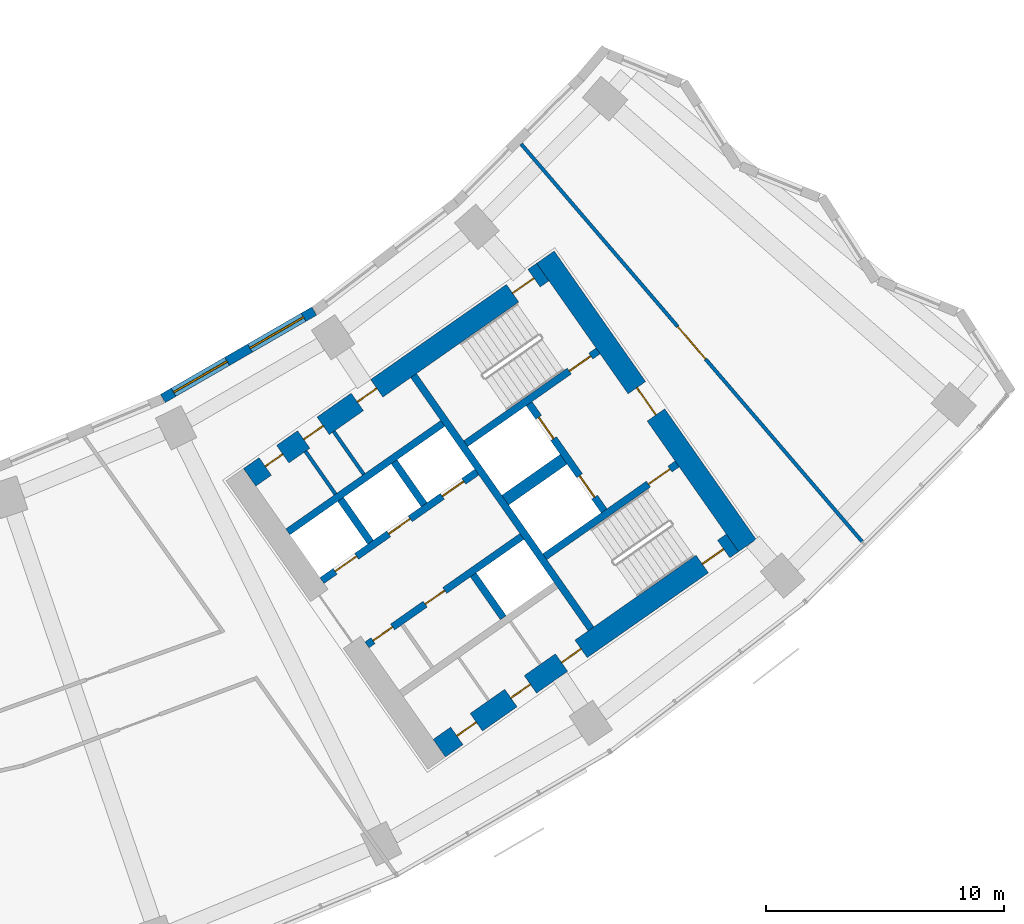
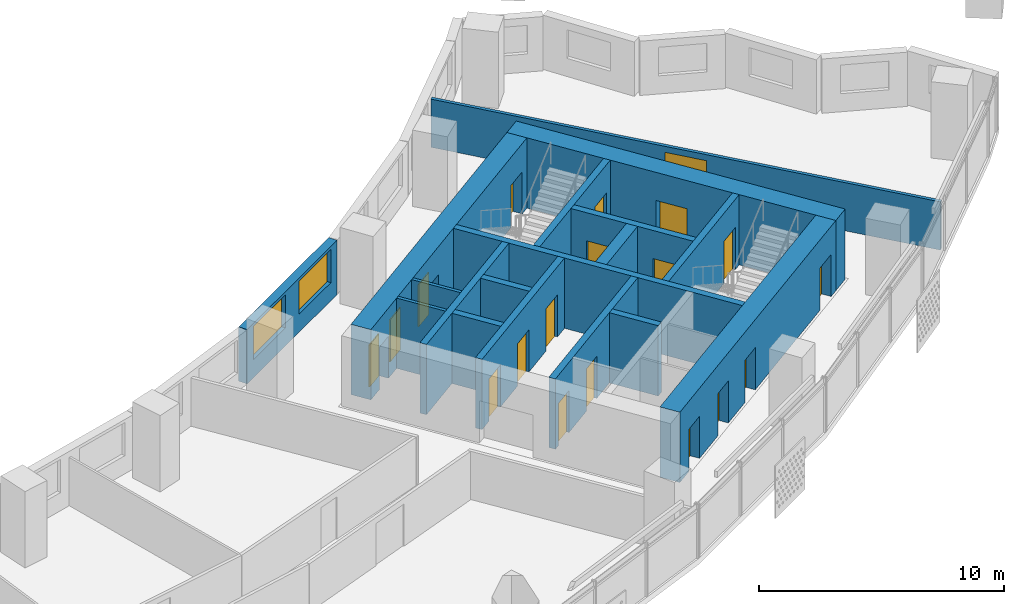
# One storey, part 7 of 29: 19 doors, 18 walls, 2 windows, 21 openings.
"""IFC4 building model written with IfcOpenShell, lengths in metres."""

from ifc_helpers import new_model, si_unit, direction, frame, frame_2d, origin, place, context, subcontext, project, spatial, rectangle, extrude, material, layer, layer_set, type_object, element, fill, save


model = new_model("IFC4")

# Units and contexts
model_context = context("Model", 3, precision=1e-05, world=origin(), true_north=direction((0.0, 1.0)))
body_context = subcontext(model_context, "Body", "Model", "MODEL_VIEW")
ifc_project = project(units=[si_unit("LENGTHUNIT", "METRE"), si_unit("AREAUNIT", "SQUARE_METRE"), si_unit("VOLUMEUNIT", "CUBIC_METRE"), si_unit("PLANEANGLEUNIT", "RADIAN"), si_unit("MASSUNIT", "GRAM", prefix="KILO")], contexts=[model_context])

# Site, building, storey
site_placement = place(None, origin())
site = spatial("IfcSite", under=ifc_project, at=site_placement, CompositionType="ELEMENT")
building_placement = place(site_placement, origin())
building = spatial("IfcBuilding", under=site, at=building_placement, Name="Qamariyya Broadcast Tower", CompositionType="ELEMENT")
storey_placement = place(building_placement, frame((0.0, 0.0, 106.300048828125)))
storey = spatial("IfcBuildingStorey", under=building, at=storey_placement, Name="L23", CompositionType="ELEMENT", Elevation=106.300048828125)

# Wall, opening, door
ifc_material_1 = material(Name="Concrete C70/85", Category="concrete")
ifc_layer_1 = layer(ifc_material_1, 0.89990234375)
ifc_layer_set_1 = layer_set([ifc_layer_1], Name="Core wall 900 mm Concrete C70/85")
wall_type_1 = type_object("IfcWallType", Name="Core wall 900 mm Concrete C70/85", PredefinedType="SHEAR", material=ifc_layer_set_1)
wall_1_placement = place(storey_placement, frame((49.778564453125, -57.191162109375, 0.0), z_axis=(0.0, 0.0, 1.0), x_axis=(-0.573577477574, 0.819151315216, 0.0)))
wall_1 = element("IfcWall", 1, at=wall_1_placement, inside=storey, type_object=wall_type_1, Name="k-E-L23-WH", PredefinedType="SHEAR", context=body_context, shape_type="SweptSolid", body=[
    extrude(rectangle(XDim=14.800048828125, YDim=0.89990234375, at=frame_2d((7.39990234375, 0.0))), origin(), (0.0, 0.0, 1.0), 3.5),
])
opening_1_placement = place(wall_1_placement, frame((6.699951171875, 0.0, 0.0)))
opening_1 = element("IfcOpeningElement", 2, at=opening_1_placement, cuts=wall_1, Name="Opening KD2-E1", PredefinedType="OPENING", context=body_context, shape_type="SweptSolid", body=[
    extrude(rectangle(XDim=1.39990234375, YDim=2.10009765625, at=frame_2d((0.699951171875, 1.050048828125))), frame((0.0, 0.4599609375, 0.0), z_axis=(0.0, -1.0, 0.0), x_axis=(1.0, 0.0, 0.0)), (0.0, 0.0, 1.0), 0.919921875),
])
ifc_material_2 = material(Name="Steel fire-resisting door leaf", Category="steel")
door_type_1 = type_object("IfcDoorType", Name="Fire-fighting lobby door KD2", OperationType="DOUBLE_DOOR_SINGLE_SWING", PredefinedType="DOOR", material=ifc_material_2)
door_1_placement = place(opening_1_placement, origin())
door_1 = element("IfcDoor", 3, at=door_1_placement, inside=storey, type_object=door_type_1, Name="k-E-L23-WH-D15", OperationType="DOUBLE_DOOR_SINGLE_SWING", OverallHeight=2.10009765625, OverallWidth=1.39990234375, PredefinedType="DOOR", context=body_context, shape_type="SweptSolid", body=[
    extrude(rectangle(XDim=1.39990234375, YDim=2.10009765625, at=frame_2d((0.699951171875, 1.050048828125))), frame((0.0, 0.02490234375, 0.0), z_axis=(0.0, -1.0, 0.0), x_axis=(1.0, 0.0, 0.0)), (0.0, 0.0, 1.0), 0.050048828125),
])
fill(opening_1, door_1)

# Wall, openings, doors
wall_2_placement = place(storey_placement, frame((28.8544921875, -54.32421875, 0.0), z_axis=(0.0, 0.0, 1.0), x_axis=(0.819145767589, 0.573585400304, 0.0)))
wall_2 = element("IfcWall", 4, at=wall_2_placement, inside=storey, type_object=wall_type_1, Name="k-E-L23-WI", PredefinedType="SHEAR", context=body_context, shape_type="SweptSolid", body=[
    extrude(rectangle(XDim=15.04541015625, YDim=0.89990234375, at=frame_2d((7.522705078125, 0.0))), origin(), (0.0, 0.0, 1.0), 3.5),
])
opening_2_placement = place(wall_2_placement, frame((0.800048828125, 0.0, 0.0)))
opening_2 = element("IfcOpeningElement", 5, at=opening_2_placement, cuts=wall_2, Name="Opening KD5-E1", PredefinedType="OPENING", context=body_context, shape_type="SweptSolid", body=[
    extrude(rectangle(XDim=0.89990234375, YDim=2.10009765625, at=frame_2d((0.449951171875, 1.050048828125))), frame((0.0, 0.4599609375, 0.0), z_axis=(0.0, -1.0, 0.0), x_axis=(1.0, 0.0, 0.0)), (0.0, 0.0, 1.0), 0.919921875),
])
opening_3_placement = place(wall_2_placement, frame((2.77490234375, 0.0, 0.0)))
opening_3 = element("IfcOpeningElement", 6, at=opening_3_placement, cuts=wall_2, Name="Opening KD7-E1", PredefinedType="OPENING", context=body_context, shape_type="SweptSolid", body=[
    extrude(rectangle(XDim=1.0, YDim=2.10009765625, at=frame_2d((0.5, 1.050048828125))), frame((0.0, 0.4599609375, 0.0), z_axis=(0.0, -1.0, 0.0), x_axis=(1.0, 0.0, 0.0)), (0.0, 0.0, 1.0), 0.919921875),
])
opening_4_placement = place(wall_2_placement, frame((5.52490234375, 0.0, 0.0)))
opening_4 = element("IfcOpeningElement", 7, at=opening_4_placement, cuts=wall_2, Name="Opening KD6-E2", PredefinedType="OPENING", context=body_context, shape_type="SweptSolid", body=[
    extrude(rectangle(XDim=1.0, YDim=2.10009765625, at=frame_2d((0.5, 1.050048828125))), frame((0.0, 0.4599609375, 0.0), z_axis=(0.0, -1.0, 0.0), x_axis=(1.0, 0.0, 0.0)), (0.0, 0.0, 1.0), 0.919921875),
])
opening_5_placement = place(wall_2_placement, frame((13.495361328125, 0.0, 0.0)))
opening_5 = element("IfcOpeningElement", 8, at=opening_5_placement, cuts=wall_2, Name="Opening KD1-E1", PredefinedType="OPENING", context=body_context, shape_type="SweptSolid", body=[
    extrude(rectangle(XDim=1.10009765625, YDim=2.10009765625, at=frame_2d((0.550048828125, 1.050048828125))), frame((0.0, 0.4599609375, 0.0), z_axis=(0.0, -1.0, 0.0), x_axis=(1.0, 0.0, 0.0)), (0.0, 0.0, 1.0), 0.919921875),
])
door_type_2 = type_object("IfcDoorType", Name="Accessible toilet door KD7", OperationType="SINGLE_SWING_LEFT", PredefinedType="DOOR", material=ifc_material_2)
door_2_placement = place(opening_3_placement, origin())
door_2 = element("IfcDoor", 9, at=door_2_placement, inside=storey, type_object=door_type_2, Name="k-E-L23-WI-D8", OperationType="SINGLE_SWING_RIGHT", OverallHeight=2.10009765625, OverallWidth=1.0, PredefinedType="DOOR", context=body_context, shape_type="SweptSolid", body=[
    extrude(rectangle(XDim=1.0, YDim=2.10009765625, at=frame_2d((0.5, 1.050048828125))), frame((0.0, 0.02490234375, 0.0), z_axis=(0.0, -1.0, 0.0), x_axis=(1.0, 0.0, 0.0)), (0.0, 0.0, 1.0), 0.050048828125),
])
fill(opening_3, door_2)
door_type_3 = type_object("IfcDoorType", Name="Core room door KD6", OperationType="SINGLE_SWING_LEFT", PredefinedType="DOOR", material=ifc_material_2)
door_3_placement = place(opening_4_placement, origin())
door_3 = element("IfcDoor", 10, at=door_3_placement, inside=storey, type_object=door_type_3, Name="k-E-L23-WI-D9", OperationType="SINGLE_SWING_LEFT", OverallHeight=2.10009765625, OverallWidth=1.0, PredefinedType="DOOR", context=body_context, shape_type="SweptSolid", body=[
    extrude(rectangle(XDim=1.0, YDim=2.10009765625, at=frame_2d((0.5, 1.050048828125))), frame((0.0, 0.02490234375, 0.0), z_axis=(0.0, -1.0, 0.0), x_axis=(1.0, 0.0, 0.0)), (0.0, 0.0, 1.0), 0.050048828125),
])
fill(opening_4, door_3)
door_type_4 = type_object("IfcDoorType", Name="Stair door KD1", OperationType="SINGLE_SWING_LEFT", PredefinedType="DOOR", material=ifc_material_2)
door_4_placement = place(opening_5_placement, origin())
door_4 = element("IfcDoor", 11, at=door_4_placement, inside=storey, type_object=door_type_4, Name="k-E-L23-WI-D16", OperationType="SINGLE_SWING_RIGHT", OverallHeight=2.10009765625, OverallWidth=1.10009765625, PredefinedType="DOOR", context=body_context, shape_type="SweptSolid", body=[
    extrude(rectangle(XDim=1.10009765625, YDim=2.10009765625, at=frame_2d((0.550048828125, 1.050048828125))), frame((0.0, 0.02490234375, 0.0), z_axis=(0.0, -1.0, 0.0), x_axis=(1.0, 0.0, 0.0)), (0.0, 0.0, 1.0), 0.050048828125),
])
fill(opening_5, door_4)
door_type_5 = type_object("IfcDoorType", Name="Toilet door KD5", OperationType="SINGLE_SWING_LEFT", PredefinedType="DOOR", material=ifc_material_2)
door_5_placement = place(opening_2_placement, origin())
door_5 = element("IfcDoor", 12, at=door_5_placement, inside=storey, type_object=door_type_5, Name="k-E-L23-WI-D7", OperationType="SINGLE_SWING_LEFT", OverallHeight=2.10009765625, OverallWidth=0.89990234375, PredefinedType="DOOR", context=body_context, shape_type="SweptSolid", body=[
    extrude(rectangle(XDim=0.89990234375, YDim=2.10009765625, at=frame_2d((0.449951171875, 1.050048828125))), frame((0.0, 0.02490234375, 0.0), z_axis=(0.0, -1.0, 0.0), x_axis=(1.0, 0.0, 0.0)), (0.0, 0.0, 1.0), 0.050048828125),
])
fill(opening_2, door_5)

wall_3_placement = place(storey_placement, frame((36.827392578125, -65.710205078125, 0.0), z_axis=(0.0, 0.0, 1.0), x_axis=(0.819153391756, 0.573574511963, 0.0)))
wall_3 = element("IfcWall", 13, at=wall_3_placement, inside=storey, type_object=wall_type_1, Name="k-E-L23-WO", PredefinedType="SHEAR", context=body_context, shape_type="SweptSolid", body=[
    extrude(rectangle(XDim=15.04541015625, YDim=0.89990234375, at=frame_2d((7.522705078125, 0.0))), origin(), (0.0, 0.0, 1.0), 3.5),
])
opening_6_placement = place(wall_3_placement, frame((0.89990234375, 0.0, 0.0)))
opening_6 = element("IfcOpeningElement", 14, at=opening_6_placement, cuts=wall_3, Name="Opening KD4-E2", PredefinedType="OPENING", context=body_context, shape_type="SweptSolid", body=[
    extrude(rectangle(XDim=1.0, YDim=2.10009765625, at=frame_2d((0.5, 1.050048828125))), frame((0.0, 0.4599609375, 0.0), z_axis=(0.0, -1.0, 0.0), x_axis=(1.0, 0.0, 0.0)), (0.0, 0.0, 1.0), 0.919921875),
])
opening_7_placement = place(wall_3_placement, frame((3.675048828125, 0.0, 0.0)))
opening_7 = element("IfcOpeningElement", 15, at=opening_7_placement, cuts=wall_3, Name="Opening KD4-E3", PredefinedType="OPENING", context=body_context, shape_type="SweptSolid", body=[
    extrude(rectangle(XDim=1.0, YDim=2.10009765625, at=frame_2d((0.5, 1.050048828125))), frame((0.0, 0.4599609375, 0.0), z_axis=(0.0, -1.0, 0.0), x_axis=(1.0, 0.0, 0.0)), (0.0, 0.0, 1.0), 0.919921875),
])
opening_8_placement = place(wall_3_placement, frame((6.27490234375, 0.0, 0.0)))
opening_8 = element("IfcOpeningElement", 16, at=opening_8_placement, cuts=wall_3, Name="Opening KD4-E4", PredefinedType="OPENING", context=body_context, shape_type="SweptSolid", body=[
    extrude(rectangle(XDim=1.0, YDim=2.10009765625, at=frame_2d((0.5, 1.050048828125))), frame((0.0, 0.4599609375, 0.0), z_axis=(0.0, -1.0, 0.0), x_axis=(1.0, 0.0, 0.0)), (0.0, 0.0, 1.0), 0.919921875),
])
opening_9_placement = place(wall_3_placement, frame((13.495361328125, 0.0, 0.0)))
opening_9 = element("IfcOpeningElement", 17, at=opening_9_placement, cuts=wall_3, Name="Opening KD1-E3", PredefinedType="OPENING", context=body_context, shape_type="SweptSolid", body=[
    extrude(rectangle(XDim=1.10009765625, YDim=2.10009765625, at=frame_2d((0.550048828125, 1.050048828125))), frame((0.0, 0.4599609375, 0.0), z_axis=(0.0, -1.0, 0.0), x_axis=(1.0, 0.0, 0.0)), (0.0, 0.0, 1.0), 0.919921875),
])
door_type_6 = type_object("IfcDoorType", Name="Riser and plant door KD4", OperationType="SINGLE_SWING_LEFT", PredefinedType="DOOR", material=ifc_material_2)
door_6_placement = place(opening_6_placement, origin())
door_6 = element("IfcDoor", 18, at=door_6_placement, inside=storey, type_object=door_type_6, Name="k-E-L23-WO-D10", OperationType="SINGLE_SWING_RIGHT", OverallHeight=2.10009765625, OverallWidth=1.0, PredefinedType="DOOR", context=body_context, shape_type="SweptSolid", body=[
    extrude(rectangle(XDim=1.0, YDim=2.10009765625, at=frame_2d((0.5, 1.050048828125))), frame((0.0, 0.02490234375, 0.0), z_axis=(0.0, -1.0, 0.0), x_axis=(1.0, 0.0, 0.0)), (0.0, 0.0, 1.0), 0.050048828125),
])
fill(opening_6, door_6)
door_7_placement = place(opening_7_placement, origin())
door_7 = element("IfcDoor", 19, at=door_7_placement, inside=storey, type_object=door_type_6, Name="k-E-L23-WO-D11", OperationType="SINGLE_SWING_LEFT", OverallHeight=2.10009765625, OverallWidth=1.0, PredefinedType="DOOR", context=body_context, shape_type="SweptSolid", body=[
    extrude(rectangle(XDim=1.0, YDim=2.10009765625, at=frame_2d((0.5, 1.050048828125))), frame((0.0, 0.02490234375, 0.0), z_axis=(0.0, -1.0, 0.0), x_axis=(1.0, 0.0, 0.0)), (0.0, 0.0, 1.0), 0.050048828125),
])
fill(opening_7, door_7)
door_8_placement = place(opening_8_placement, origin())
door_8 = element("IfcDoor", 20, at=door_8_placement, inside=storey, type_object=door_type_6, Name="k-E-L23-WO-D12", OperationType="SINGLE_SWING_RIGHT", OverallHeight=2.10009765625, OverallWidth=1.0, PredefinedType="DOOR", context=body_context, shape_type="SweptSolid", body=[
    extrude(rectangle(XDim=1.0, YDim=2.10009765625, at=frame_2d((0.5, 1.050048828125))), frame((0.0, 0.02490234375, 0.0), z_axis=(0.0, -1.0, 0.0), x_axis=(1.0, 0.0, 0.0)), (0.0, 0.0, 1.0), 0.050048828125),
])
fill(opening_8, door_8)
door_9_placement = place(opening_9_placement, origin())
door_9 = element("IfcDoor", 21, at=door_9_placement, inside=storey, type_object=door_type_4, Name="k-E-L23-WO-D18", OperationType="SINGLE_SWING_LEFT", OverallHeight=2.10009765625, OverallWidth=1.10009765625, PredefinedType="DOOR", context=body_context, shape_type="SweptSolid", body=[
    extrude(rectangle(XDim=1.10009765625, YDim=2.10009765625, at=frame_2d((0.550048828125, 1.050048828125))), frame((0.0, 0.02490234375, 0.0), z_axis=(0.0, -1.0, 0.0), x_axis=(1.0, 0.0, 0.0)), (0.0, 0.0, 1.0), 0.050048828125),
])
fill(opening_9, door_9)

# Wall, opening, door
ifc_material_3 = material(Name="Gypsum board partition")
ifc_layer_2 = layer(ifc_material_3, 0.14990234375)
ifc_layer_set_2 = layer_set([ifc_layer_2], Name="Corridor partition 150 EI 60")
wall_type_2 = type_object("IfcWallType", Name="Corridor partition 150 EI 60", PredefinedType="PARTITIONING", material=ifc_layer_set_2)
wall_4_placement = place(storey_placement, frame((40.267578125, -40.310791015625, 0.0), z_axis=(0.0, 0.0, 1.0), x_axis=(0.650987681244, -0.759088294514, 0.0)))
wall_4 = element("IfcWall", 22, at=wall_4_placement, inside=storey, type_object=wall_type_2, Name="Partition L23-029", PredefinedType="PARTITIONING", context=body_context, shape_type="SweptSolid", body=[
    extrude(rectangle(XDim=22.017822265625, YDim=0.14990234375, at=frame_2d((11.0087890625, 0.0))), origin(), (0.0, 0.0, 1.0), 2.39990234375),
])
opening_10_placement = place(wall_4_placement, frame((10.10888671875, 0.0, 0.0)))
opening_10 = element("IfcOpeningElement", 23, at=opening_10_placement, cuts=wall_4, Name="Opening L23-D13", PredefinedType="OPENING", context=body_context, shape_type="SweptSolid", body=[
    extrude(rectangle(XDim=1.800048828125, YDim=2.10009765625, at=frame_2d((0.89990234375, 1.050048828125))), frame((0.0, 0.0849609375, 0.0), z_axis=(0.0, -1.0, 0.0), x_axis=(1.0, 0.0, 0.0)), (0.0, 0.0, 1.0), 0.169921875),
])
ifc_material_4 = material(Name="Timber fire door leaf", Category="wood")
door_type_7 = type_object("IfcDoorType", Name="Double fire door 1800 x 2100 FD60", OperationType="NOTDEFINED", PredefinedType="DOOR", material=ifc_material_4)
door_10_placement = place(opening_10_placement, origin())
door_10 = element("IfcDoor", 24, at=door_10_placement, inside=storey, type_object=door_type_7, Name="Door L23-D13", OperationType="DOUBLE_DOOR_SINGLE_SWING", OverallHeight=2.10009765625, OverallWidth=1.800048828125, PredefinedType="DOOR", context=body_context, shape_type="SweptSolid", body=[
    extrude(rectangle(XDim=1.800048828125, YDim=2.10009765625, at=frame_2d((0.89990234375, 1.050048828125))), frame((0.0, 0.02490234375, 0.0), z_axis=(0.0, -1.0, 0.0), x_axis=(1.0, 0.0, 0.0)), (0.0, 0.0, 1.0), 0.050048828125),
])
fill(opening_10, door_10)

# Walls
ifc_material_5 = material(Name="Concrete C60/75", Category="concrete")
ifc_layer_3 = layer(ifc_material_5, 0.5)
ifc_layer_set_3 = layer_set([ifc_layer_3], Name="Fire-fighting lobby divider wall 500 mm Concrete C60/75")
wall_type_3 = type_object("IfcWallType", Name="Fire-fighting lobby divider wall 500 mm Concrete C60/75", PredefinedType="SOLIDWALL", material=ifc_layer_set_3)
wall_5_placement = place(storey_placement, frame((39.59912109375, -55.28515625, 0.0), z_axis=(0.0, 0.0, 1.0), x_axis=(0.819136323161, 0.573598887793, 0.0)))
element("IfcWall", 25, at=wall_5_placement, inside=storey, type_object=wall_type_3, Name="k-E-L23-FD", PredefinedType="SOLIDWALL", context=body_context, shape_type="SweptSolid", body=[
    extrude(rectangle(XDim=2.999755859375, YDim=0.5, at=frame_2d((1.5, 0.0))), origin(), (0.0, 0.0, 1.0), 3.5),
])
ifc_material_6 = material(Name="Gypsum board partition on steel studs", Category="steel")
ifc_layer_4 = layer(ifc_material_6, 0.14990234375)
ifc_layer_set_4 = layer_set([ifc_layer_4], Name="Gypsum board partition 150 mm")
wall_type_4 = type_object("IfcWallType", Name="Gypsum board partition 150 mm", PredefinedType="PARTITIONING", material=ifc_layer_set_4)
wall_6_placement = place(storey_placement, frame((32.46337890625, -55.0322265625, 0.0), z_axis=(0.0, 0.0, 1.0), x_axis=(-0.573507030513, 0.819200638399, 0.0)))
element("IfcWall", 26, at=wall_6_placement, inside=storey, type_object=wall_type_4, Name="k-E-L23-NP255", PredefinedType="PARTITIONING", context=body_context, shape_type="SweptSolid", body=[
    extrude(rectangle(XDim=2.199951171875, YDim=0.14990234375, at=frame_2d((1.10009765625, 0.0))), origin(), (0.0, 0.0, 1.0), 3.5),
])
wall_7_placement = place(storey_placement, frame((33.651123046875, -54.200439453125, 0.0), z_axis=(0.0, 0.0, 1.0), x_axis=(-0.573559170999, 0.819164133348, 0.0)))
element("IfcWall", 27, at=wall_7_placement, inside=storey, type_object=wall_type_4, Name="k-E-L23-NP400", PredefinedType="PARTITIONING", context=body_context, shape_type="SweptSolid", body=[
    extrude(rectangle(XDim=2.19970703125, YDim=0.14990234375, at=frame_2d((1.099853515625, 0.0))), origin(), (0.0, 0.0, 1.0), 3.5),
])
ifc_layer_5 = layer(ifc_material_5, 0.300048828125)
ifc_layer_set_5 = layer_set([ifc_layer_5], Name="Lift shaft wall 300 mm Concrete C60/75")
wall_type_5 = type_object("IfcWallType", Name="Lift shaft wall 300 mm Concrete C60/75", PredefinedType="SOLIDWALL", material=ifc_layer_set_5)
wall_8_placement = place(storey_placement, frame((43.204345703125, -60.69580078125, 0.0), z_axis=(0.0, 0.0, 1.0), x_axis=(-0.573571992966, 0.819155155563, 0.0)))
element("IfcWall", 28, at=wall_8_placement, inside=storey, type_object=wall_type_5, Name="k-E-L23-WL", PredefinedType="SOLIDWALL", context=body_context, shape_type="SweptSolid", body=[
    extrude(rectangle(XDim=13.000244140625, YDim=0.300048828125, at=frame_2d((6.5, 0.0))), origin(), (0.0, 0.0, 1.0), 3.5),
])

# Wall, openings, doors
wall_9_placement = place(storey_placement, frame((31.89453125, -58.66552734375, 0.0), z_axis=(0.0, 0.0, 1.0), x_axis=(0.819166993208, 0.573555086491, 0.0)))
wall_9 = element("IfcWall", 29, at=wall_9_placement, inside=storey, type_object=wall_type_5, Name="k-E-L23-NF0", PredefinedType="SOLIDWALL", context=body_context, shape_type="SweptSolid", body=[
    extrude(rectangle(XDim=7.9501953125, YDim=0.300048828125, at=frame_2d((3.97509765625, 0.0))), origin(), (0.0, 0.0, 1.0), 3.5),
])
opening_11_placement = place(wall_9_placement, frame((0.675048828125, 0.0, 0.0)))
opening_11 = element("IfcOpeningElement", 30, at=opening_11_placement, cuts=wall_9, Name="Opening LD", PredefinedType="OPENING", context=body_context, shape_type="SweptSolid", body=[
    extrude(rectangle(XDim=1.10009765625, YDim=2.10009765625, at=frame_2d((0.550048828125, 1.050048828125))), frame((0.0, 0.159912109375, 0.0), z_axis=(0.0, -1.0, 0.0), x_axis=(1.0, 0.0, 0.0)), (0.0, 0.0, 1.0), 0.320068359375),
])
opening_12_placement = place(wall_9_placement, frame((3.425048828125, 0.0, 0.0)))
opening_12 = element("IfcOpeningElement", 31, at=opening_12_placement, cuts=wall_9, Name="Opening LD", PredefinedType="OPENING", context=body_context, shape_type="SweptSolid", body=[
    extrude(rectangle(XDim=1.10009765625, YDim=2.10009765625, at=frame_2d((0.550048828125, 1.050048828125))), frame((0.0, 0.159912109375, 0.0), z_axis=(0.0, -1.0, 0.0), x_axis=(1.0, 0.0, 0.0)), (0.0, 0.0, 1.0), 0.320068359375),
])
opening_13_placement = place(wall_9_placement, frame((6.175048828125, 0.0, 0.0)))
opening_13 = element("IfcOpeningElement", 32, at=opening_13_placement, cuts=wall_9, Name="Opening LD", PredefinedType="OPENING", context=body_context, shape_type="SweptSolid", body=[
    extrude(rectangle(XDim=1.10009765625, YDim=2.10009765625, at=frame_2d((0.550048828125, 1.050048828125))), frame((0.0, 0.159912109375, 0.0), z_axis=(0.0, -1.0, 0.0), x_axis=(1.0, 0.0, 0.0)), (0.0, 0.0, 1.0), 0.320068359375),
])
door_type_8 = type_object("IfcDoorType", Name="Lift landing door LD", OperationType="DOUBLE_DOOR_SLIDING", PredefinedType="DOOR", material=ifc_material_2)
door_11_placement = place(opening_11_placement, origin())
door_11 = element("IfcDoor", 33, at=door_11_placement, inside=storey, type_object=door_type_8, Name="k-E-L23-NF0-D2", OperationType="DOUBLE_DOOR_SLIDING", OverallHeight=2.10009765625, OverallWidth=1.10009765625, PredefinedType="DOOR", context=body_context, shape_type="SweptSolid", body=[
    extrude(rectangle(XDim=1.10009765625, YDim=2.10009765625, at=frame_2d((0.550048828125, 1.050048828125))), frame((0.0, 0.02490234375, 0.0), z_axis=(0.0, -1.0, 0.0), x_axis=(1.0, 0.0, 0.0)), (0.0, 0.0, 1.0), 0.050048828125),
])
fill(opening_11, door_11)
door_12_placement = place(opening_12_placement, origin())
door_12 = element("IfcDoor", 34, at=door_12_placement, inside=storey, type_object=door_type_8, Name="k-E-L23-NF0-D3", OperationType="DOUBLE_DOOR_SLIDING", OverallHeight=2.10009765625, OverallWidth=1.10009765625, PredefinedType="DOOR", context=body_context, shape_type="SweptSolid", body=[
    extrude(rectangle(XDim=1.10009765625, YDim=2.10009765625, at=frame_2d((0.550048828125, 1.050048828125))), frame((0.0, 0.02490234375, 0.0), z_axis=(0.0, -1.0, 0.0), x_axis=(1.0, 0.0, 0.0)), (0.0, 0.0, 1.0), 0.050048828125),
])
fill(opening_12, door_12)
door_13_placement = place(opening_13_placement, origin())
door_13 = element("IfcDoor", 35, at=door_13_placement, inside=storey, type_object=door_type_8, Name="k-E-L23-NF0-D4", OperationType="DOUBLE_DOOR_SLIDING", OverallHeight=2.10009765625, OverallWidth=1.10009765625, PredefinedType="DOOR", context=body_context, shape_type="SweptSolid", body=[
    extrude(rectangle(XDim=1.10009765625, YDim=2.10009765625, at=frame_2d((0.550048828125, 1.050048828125))), frame((0.0, 0.02490234375, 0.0), z_axis=(0.0, -1.0, 0.0), x_axis=(1.0, 0.0, 0.0)), (0.0, 0.0, 1.0), 0.050048828125),
])
fill(opening_13, door_13)

# Walls
wall_10_placement = place(storey_placement, frame((30.460693359375, -56.61767578125, 0.0), z_axis=(0.0, 0.0, 1.0), x_axis=(0.819142461705, 0.573590121456, 0.0)))
element("IfcWall", 36, at=wall_10_placement, inside=storey, type_object=wall_type_5, Name="k-E-L23-NB0", PredefinedType="SOLIDWALL", context=body_context, shape_type="SweptSolid", body=[
    extrude(rectangle(XDim=7.949951171875, YDim=0.300048828125, at=frame_2d((3.97509765625, 0.0))), origin(), (0.0, 0.0, 1.0), 3.5),
])
wall_11_placement = place(storey_placement, frame((33.9384765625, -57.051513671875, 0.0), z_axis=(0.0, 0.0, 1.0), x_axis=(-0.573581496053, 0.819148501424, 0.0)))
element("IfcWall", 37, at=wall_11_placement, inside=storey, type_object=wall_type_5, Name="k-E-L23-ND0", PredefinedType="SOLIDWALL", context=body_context, shape_type="SweptSolid", body=[
    extrude(rectangle(XDim=2.2001953125, YDim=0.300048828125, at=frame_2d((1.10009765625, 0.0))), origin(), (0.0, 0.0, 1.0), 3.5),
])
wall_12_placement = place(storey_placement, frame((36.19091796875, -55.47412109375, 0.0), z_axis=(0.0, 0.0, 1.0), x_axis=(-0.573507030513, 0.819200638399, 0.0)))
element("IfcWall", 38, at=wall_12_placement, inside=storey, type_object=wall_type_5, Name="k-E-L23-ND1", PredefinedType="SOLIDWALL", context=body_context, shape_type="SweptSolid", body=[
    extrude(rectangle(XDim=2.199951171875, YDim=0.300048828125, at=frame_2d((1.10009765625, 0.0))), origin(), (0.0, 0.0, 1.0), 3.5),
])

# Wall, openings, doors
wall_13_placement = place(storey_placement, frame((33.787353515625, -61.368896484375, 0.0), z_axis=(0.0, 0.0, 1.0), x_axis=(0.819152564888, 0.573575692858, 0.0)))
wall_13 = element("IfcWall", 39, at=wall_13_placement, inside=storey, type_object=wall_type_5, Name="k-E-L23-SF0", PredefinedType="SOLIDWALL", context=body_context, shape_type="SweptSolid", body=[
    extrude(rectangle(XDim=7.9501953125, YDim=0.300048828125, at=frame_2d((3.97509765625, 0.0))), origin(), (0.0, 0.0, 1.0), 3.5),
])
opening_14_placement = place(wall_13_placement, frame((0.3125, 0.0, 0.0)))
opening_14 = element("IfcOpeningElement", 40, at=opening_14_placement, cuts=wall_13, Name="Opening KD4-E1", PredefinedType="OPENING", context=body_context, shape_type="SweptSolid", body=[
    extrude(rectangle(XDim=1.0, YDim=2.10009765625, at=frame_2d((0.5, 1.050048828125))), frame((0.0, 0.159912109375, 0.0), z_axis=(0.0, -1.0, 0.0), x_axis=(1.0, 0.0, 0.0)), (0.0, 0.0, 1.0), 0.320068359375),
])
opening_15_placement = place(wall_13_placement, frame((2.987548828125, 0.0, 0.0)))
opening_15 = element("IfcOpeningElement", 41, at=opening_15_placement, cuts=wall_13, Name="Opening KD6-E1", PredefinedType="OPENING", context=body_context, shape_type="SweptSolid", body=[
    extrude(rectangle(XDim=1.0, YDim=2.10009765625, at=frame_2d((0.5, 1.050048828125))), frame((0.0, 0.159912109375, 0.0), z_axis=(0.0, -1.0, 0.0), x_axis=(1.0, 0.0, 0.0)), (0.0, 0.0, 1.0), 0.320068359375),
])
door_14_placement = place(opening_15_placement, origin())
door_14 = element("IfcDoor", 42, at=door_14_placement, inside=storey, type_object=door_type_3, Name="k-E-L23-SF0-D6", OperationType="SINGLE_SWING_RIGHT", OverallHeight=2.10009765625, OverallWidth=1.0, PredefinedType="DOOR", context=body_context, shape_type="SweptSolid", body=[
    extrude(rectangle(XDim=1.0, YDim=2.10009765625, at=frame_2d((0.5, 1.050048828125))), frame((0.0, 0.02490234375, 0.0), z_axis=(0.0, -1.0, 0.0), x_axis=(1.0, 0.0, 0.0)), (0.0, 0.0, 1.0), 0.050048828125),
])
fill(opening_15, door_14)
door_15_placement = place(opening_14_placement, origin())
door_15 = element("IfcDoor", 43, at=door_15_placement, inside=storey, type_object=door_type_6, Name="k-E-L23-SF0-D5", OperationType="SINGLE_SWING_LEFT", OverallHeight=2.10009765625, OverallWidth=1.0, PredefinedType="DOOR", context=body_context, shape_type="SweptSolid", body=[
    extrude(rectangle(XDim=1.0, YDim=2.10009765625, at=frame_2d((0.5, 1.050048828125))), frame((0.0, 0.02490234375, 0.0), z_axis=(0.0, -1.0, 0.0), x_axis=(1.0, 0.0, 0.0)), (0.0, 0.0, 1.0), 0.050048828125),
])
fill(opening_14, door_15)

# Wall
wall_14_placement = place(storey_placement, frame((38.255859375, -58.423095703125, 0.0), z_axis=(0.0, 0.0, 1.0), x_axis=(0.573633636671, -0.819111989218, 0.0)))
element("IfcWall", 44, at=wall_14_placement, inside=storey, type_object=wall_type_5, Name="k-E-L23-SD1", PredefinedType="SOLIDWALL", context=body_context, shape_type="SweptSolid", body=[
    extrude(rectangle(XDim=2.199951171875, YDim=0.300048828125, at=frame_2d((1.10009765625, 0.0))), origin(), (0.0, 0.0, 1.0), 3.5),
])

# Wall, opening, door
wall_15_placement = place(storey_placement, frame((37.935546875, -52.90966796875, 0.0), z_axis=(0.0, 0.0, 1.0), x_axis=(0.819147518138, 0.57358290031, 0.0)))
wall_15 = element("IfcWall", 45, at=wall_15_placement, inside=storey, type_object=wall_type_5, Name="k-E-L23-NW", PredefinedType="SOLIDWALL", context=body_context, shape_type="SweptSolid", body=[
    extrude(rectangle(XDim=6.79541015625, YDim=0.300048828125, at=frame_2d((3.397705078125, 0.0))), origin(), (0.0, 0.0, 1.0), 3.5),
])
opening_16_placement = place(wall_15_placement, frame((5.3203125, 0.0, 0.0)))
opening_16 = element("IfcOpeningElement", 46, at=opening_16_placement, cuts=wall_15, Name="Opening KD1-E2", PredefinedType="OPENING", context=body_context, shape_type="SweptSolid", body=[
    extrude(rectangle(XDim=1.10009765625, YDim=2.10009765625, at=frame_2d((0.550048828125, 1.050048828125))), frame((0.0, 0.159912109375, 0.0), z_axis=(0.0, -1.0, 0.0), x_axis=(1.0, 0.0, 0.0)), (0.0, 0.0, 1.0), 0.320068359375),
])
door_16_placement = place(opening_16_placement, origin())
door_16 = element("IfcDoor", 47, at=door_16_placement, inside=storey, type_object=door_type_4, Name="k-E-L23-NW-D17", OperationType="SINGLE_SWING_LEFT", OverallHeight=2.10009765625, OverallWidth=1.10009765625, PredefinedType="DOOR", context=body_context, shape_type="SweptSolid", body=[
    extrude(rectangle(XDim=1.10009765625, YDim=2.10009765625, at=frame_2d((0.550048828125, 1.050048828125))), frame((0.0, 0.02490234375, 0.0), z_axis=(0.0, -1.0, 0.0), x_axis=(1.0, 0.0, 0.0)), (0.0, 0.0, 1.0), 0.050048828125),
])
fill(opening_16, door_16)

wall_16_placement = place(storey_placement, frame((41.262451171875, -57.66064453125, 0.0), z_axis=(0.0, 0.0, 1.0), x_axis=(0.819164398642, 0.573558792102, 0.0)))
wall_16 = element("IfcWall", 48, at=wall_16_placement, inside=storey, type_object=wall_type_5, Name="k-E-L23-SW", PredefinedType="SOLIDWALL", context=body_context, shape_type="SweptSolid", body=[
    extrude(rectangle(XDim=6.795166015625, YDim=0.300048828125, at=frame_2d((3.3974609375, 0.0))), origin(), (0.0, 0.0, 1.0), 3.5),
])
opening_17_placement = place(wall_16_placement, frame((5.3203125, 0.0, 0.0)))
opening_17 = element("IfcOpeningElement", 49, at=opening_17_placement, cuts=wall_16, Name="Opening KD1-E4", PredefinedType="OPENING", context=body_context, shape_type="SweptSolid", body=[
    extrude(rectangle(XDim=1.10009765625, YDim=2.10009765625, at=frame_2d((0.550048828125, 1.050048828125))), frame((0.0, 0.159912109375, 0.0), z_axis=(0.0, -1.0, 0.0), x_axis=(1.0, 0.0, 0.0)), (0.0, 0.0, 1.0), 0.320068359375),
])
door_17_placement = place(opening_17_placement, origin())
door_17 = element("IfcDoor", 50, at=door_17_placement, inside=storey, type_object=door_type_4, Name="k-E-L23-SW-D19", OperationType="SINGLE_SWING_LEFT", OverallHeight=2.10009765625, OverallWidth=1.10009765625, PredefinedType="DOOR", context=body_context, shape_type="SweptSolid", body=[
    extrude(rectangle(XDim=1.10009765625, YDim=2.10009765625, at=frame_2d((0.550048828125, 1.050048828125))), frame((0.0, 0.02490234375, 0.0), z_axis=(0.0, -1.0, 0.0), x_axis=(1.0, 0.0, 0.0)), (0.0, 0.0, 1.0), 0.050048828125),
])
fill(opening_17, door_17)

# Wall, openings, doors
wall_17_placement = place(storey_placement, frame((43.756591796875, -55.731201171875, 0.0), z_axis=(0.0, 0.0, 1.0), x_axis=(-0.573536818435, 0.819179783625, 0.0)))
wall_17 = element("IfcWall", 51, at=wall_17_placement, inside=storey, type_object=wall_type_5, Name="k-E-L23-FF", PredefinedType="SOLIDWALL", context=body_context, shape_type="SweptSolid", body=[
    extrude(rectangle(XDim=5.500244140625, YDim=0.300048828125, at=frame_2d((2.75, 0.0))), origin(), (0.0, 0.0, 1.0), 3.5),
])
opening_18_placement = place(wall_17_placement, frame((0.699951171875, 0.0, 0.0)))
opening_18 = element("IfcOpeningElement", 52, at=opening_18_placement, cuts=wall_17, Name="Opening LD", PredefinedType="OPENING", context=body_context, shape_type="SweptSolid", body=[
    extrude(rectangle(XDim=1.10009765625, YDim=2.10009765625, at=frame_2d((0.550048828125, 1.050048828125))), frame((0.0, 0.159912109375, 0.0), z_axis=(0.0, -1.0, 0.0), x_axis=(1.0, 0.0, 0.0)), (0.0, 0.0, 1.0), 0.320068359375),
])
opening_19_placement = place(wall_17_placement, frame((3.699951171875, 0.0, 0.0)))
opening_19 = element("IfcOpeningElement", 53, at=opening_19_placement, cuts=wall_17, Name="Opening LD", PredefinedType="OPENING", context=body_context, shape_type="SweptSolid", body=[
    extrude(rectangle(XDim=1.10009765625, YDim=2.10009765625, at=frame_2d((0.550048828125, 1.050048828125))), frame((0.0, 0.159912109375, 0.0), z_axis=(0.0, -1.0, 0.0), x_axis=(1.0, 0.0, 0.0)), (0.0, 0.0, 1.0), 0.320068359375),
])
door_18_placement = place(opening_18_placement, origin())
door_18 = element("IfcDoor", 54, at=door_18_placement, inside=storey, type_object=door_type_8, Name="k-E-L23-FF-D13", OperationType="DOUBLE_DOOR_SLIDING", OverallHeight=2.10009765625, OverallWidth=1.10009765625, PredefinedType="DOOR", context=body_context, shape_type="SweptSolid", body=[
    extrude(rectangle(XDim=1.10009765625, YDim=2.10009765625, at=frame_2d((0.550048828125, 1.050048828125))), frame((0.0, 0.02490234375, 0.0), z_axis=(0.0, -1.0, 0.0), x_axis=(1.0, 0.0, 0.0)), (0.0, 0.0, 1.0), 0.050048828125),
])
fill(opening_18, door_18)
door_19_placement = place(opening_19_placement, origin())
door_19 = element("IfcDoor", 55, at=door_19_placement, inside=storey, type_object=door_type_8, Name="k-E-L23-FF-D14", OperationType="DOUBLE_DOOR_SLIDING", OverallHeight=2.10009765625, OverallWidth=1.10009765625, PredefinedType="DOOR", context=body_context, shape_type="SweptSolid", body=[
    extrude(rectangle(XDim=1.10009765625, YDim=2.10009765625, at=frame_2d((0.550048828125, 1.050048828125))), frame((0.0, 0.02490234375, 0.0), z_axis=(0.0, -1.0, 0.0), x_axis=(1.0, 0.0, 0.0)), (0.0, 0.0, 1.0), 0.050048828125),
])
fill(opening_19, door_19)

# Wall, openings, windows
ifc_material_7 = material(Name="Terracotta", Category="masonry")
ifc_layer_6 = layer(ifc_material_7, 0.39990234375)
ifc_layer_set_6 = layer_set([ifc_layer_6], Name="Terracotta clad wall 400")
wall_type_6 = type_object("IfcWallType", Name="Terracotta clad wall 400", PredefinedType="SOLIDWALL", material=ifc_layer_set_6)
wall_18_placement = place(storey_placement, frame((31.568359375, -47.33642578125, 0.0), z_axis=(0.0, 0.0, 1.0), x_axis=(-0.866030525931, -0.499991128077, 0.0)))
wall_18 = element("IfcWall", 56, at=wall_18_placement, inside=storey, type_object=wall_type_6, Name="e-wl-L23-in130", PredefinedType="SOLIDWALL", context=body_context, shape_type="SweptSolid", body=[
    extrude(rectangle(XDim=7.341552734375, YDim=0.39990234375, at=frame_2d((3.6708984375, 0.0))), origin(), (0.0, 0.0, 1.0), 2.699951171875),
])
opening_20_placement = place(wall_18_placement, frame((4.224853515625, 0.0, 0.89990234375)))
opening_20 = element("IfcOpeningElement", 57, at=opening_20_placement, cuts=wall_18, Name="Opening W1", PredefinedType="OPENING", context=body_context, shape_type="SweptSolid", body=[
    extrude(rectangle(XDim=2.60009765625, YDim=1.64990234375, at=frame_2d((1.300048828125, 0.824951171875))), frame((0.0, 0.2099609375, 0.0), z_axis=(0.0, -1.0, 0.0), x_axis=(1.0, 0.0, 0.0)), (0.0, 0.0, 1.0), 0.419921875),
])
opening_21_placement = place(wall_18_placement, frame((0.5166015625, 0.0, 0.89990234375)))
opening_21 = element("IfcOpeningElement", 58, at=opening_21_placement, cuts=wall_18, Name="Opening W1", PredefinedType="OPENING", context=body_context, shape_type="SweptSolid", body=[
    extrude(rectangle(XDim=2.60009765625, YDim=1.64990234375, at=frame_2d((1.300048828125, 0.824951171875))), frame((0.0, 0.2099609375, 0.0), z_axis=(0.0, -1.0, 0.0), x_axis=(1.0, 0.0, 0.0)), (0.0, 0.0, 1.0), 0.419921875),
])
ifc_material_8 = material(Name="Clear low-e double glazed unit in aluminium frame", Category="aluminium")
window_type = type_object("IfcWindowType", Name="Ribbon window 2600 x 1650", PartitioningType="SINGLE_PANEL", PredefinedType="WINDOW", material=ifc_material_8)
window_1_placement = place(opening_20_placement, origin())
window_1 = element("IfcWindow", 59, at=window_1_placement, inside=storey, type_object=window_type, Name="e-w-L23-in13-0", OverallHeight=1.64990234375, OverallWidth=2.60009765625, PartitioningType="SINGLE_PANEL", PredefinedType="WINDOW", context=body_context, shape_type="SweptSolid", body=[
    extrude(rectangle(XDim=2.60009765625, YDim=1.64990234375, at=frame_2d((1.300048828125, 0.824951171875))), frame((0.0, 0.030029296875, 0.0), z_axis=(0.0, -1.0, 0.0), x_axis=(1.0, 0.0, 0.0)), (0.0, 0.0, 1.0), 0.06005859375),
])
fill(opening_20, window_1)
window_2_placement = place(opening_21_placement, origin())
window_2 = element("IfcWindow", 60, at=window_2_placement, inside=storey, type_object=window_type, Name="e-w-L23-in13-1", OverallHeight=1.64990234375, OverallWidth=2.60009765625, PartitioningType="SINGLE_PANEL", PredefinedType="WINDOW", context=body_context, shape_type="SweptSolid", body=[
    extrude(rectangle(XDim=2.60009765625, YDim=1.64990234375, at=frame_2d((1.300048828125, 0.824951171875))), frame((0.0, 0.030029296875, 0.0), z_axis=(0.0, -1.0, 0.0), x_axis=(1.0, 0.0, 0.0)), (0.0, 0.0, 1.0), 0.06005859375),
])
fill(opening_21, window_2)

save(model, "model.ifc")
